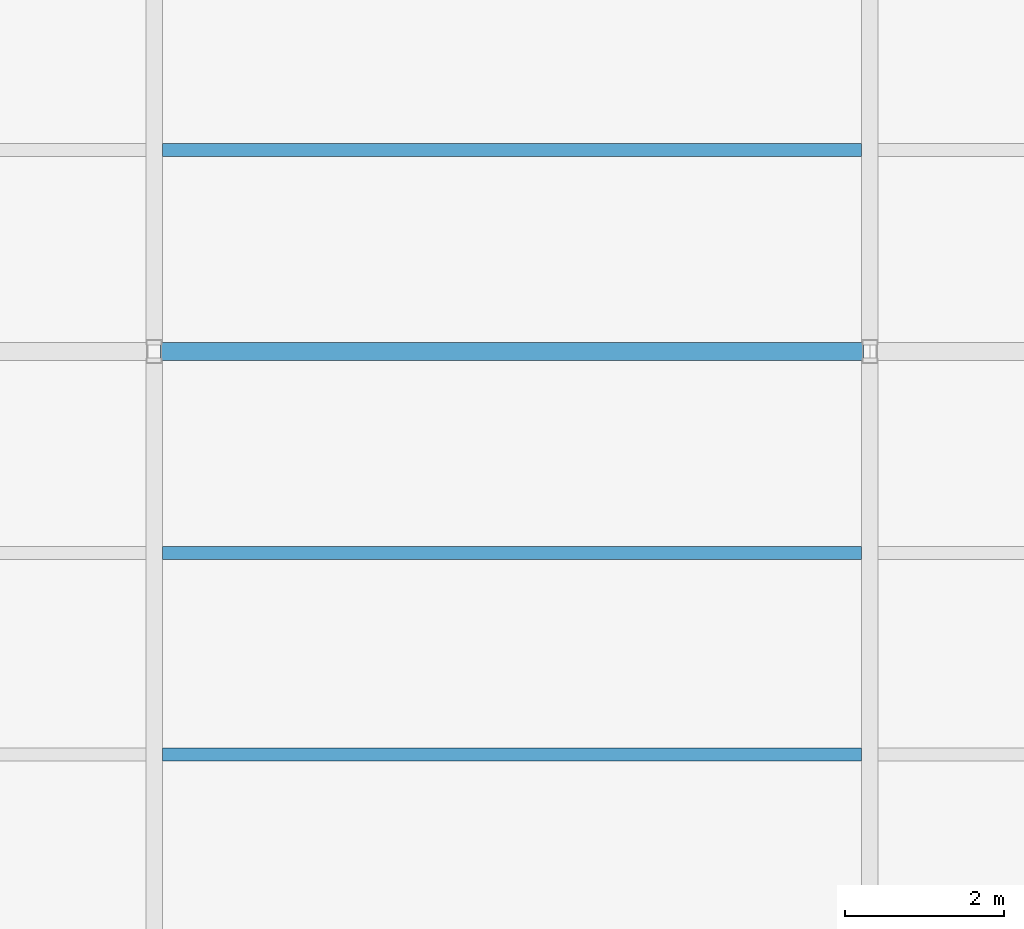
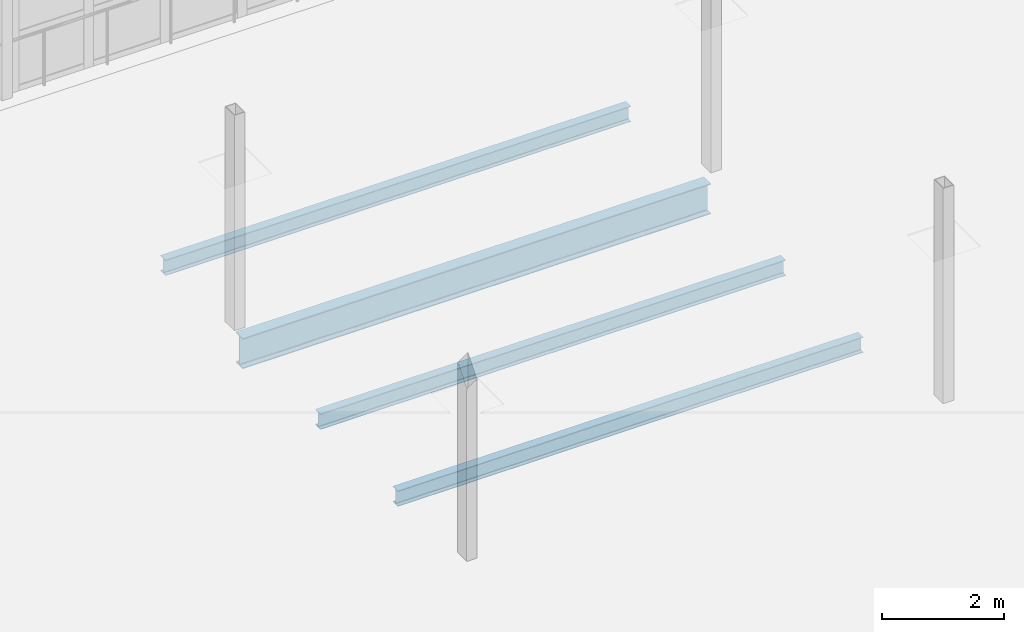
# One storey, part 40 of 166: 4 beams.
"""IFC4 building model written with IfcOpenShell, lengths in metres."""

import ifcopenshell
import ifcopenshell.guid

model = None  # the IFC model being written
_history = None  # IfcOwnerHistory: only IFC2X3 demands one
_inside = {}  # id of a spatial element -> (the spatial element, [elements in it])
_under = {}  # id of a project, library or spatial element -> (it, [spatial elements below it])
_declared = {}  # id of a project -> (the project, [libraries it declares])
_typed = {}  # id of a type object -> (the type object, [elements of that type])
_made_of = {}  # id of a material, layer set ... -> (it, [elements and type objects made of it])


def new_model(schema):
    """Start an empty IFC model of exactly this schema.

    Asked for "IFC4X3", IfcOpenShell would pick the latest addendum, in which some entities
    have other attributes; the version numbers below select the first issue.
    IFC2X3 requires an IfcOwnerHistory on every rooted entity: one is made here for all.
    """
    global model, _history
    if schema == "IFC4X3":
        model = ifcopenshell.file(schema_version=(4, 3, 0, 0))
    else:
        model = ifcopenshell.file(schema=schema)
    _inside.clear()
    _under.clear()
    _declared.clear()
    _typed.clear()
    _made_of.clear()
    _history = None
    if model.schema == "IFC2X3":
        org = make("IfcOrganization", Name="unknown")
        user = make(
            "IfcPersonAndOrganization",
            ThePerson=make("IfcPerson", FamilyName="unknown"),
            TheOrganization=org,
        )
        app = make(
            "IfcApplication",
            ApplicationDeveloper=org,
            Version="unknown",
            ApplicationFullName="unknown",
            ApplicationIdentifier="unknown",
        )
        _history = make(
            "IfcOwnerHistory",
            OwningUser=user,
            OwningApplication=app,
            ChangeAction="ADDED",
            CreationDate=0,
        )
    return model


def make(cls, **values):
    """One entity of the class cls with the attributes given. An attribute that is None is left unset."""
    return model.create_entity(
        cls, **{name: value for name, value in values.items() if value is not None}
    )


def rooted(cls, **values):
    """An entity with a GlobalId (a new one), such as an element, a storey or a relation."""
    return make(cls, GlobalId=ifcopenshell.guid.new(), OwnerHistory=_history, **values)


def si_unit(unit_type, name, prefix=None):
    """IfcSIUnit, for example si_unit("LENGTHUNIT", "METRE", prefix="MILLI")."""
    return make("IfcSIUnit", UnitType=unit_type, Prefix=prefix, Name=name)


def assignment(units):
    """IfcUnitAssignment: the units of a project."""
    return None if units is None else make("IfcUnitAssignment", Units=units)


def point(xyz):
    """IfcCartesianPoint."""
    return None if xyz is None else make("IfcCartesianPoint", Coordinates=xyz)


def direction(xyz):
    """IfcDirection."""
    return None if xyz is None else make("IfcDirection", DirectionRatios=xyz)


def frame(location, z_axis=None, x_axis=None):
    """IfcAxis2Placement3D, a coordinate frame: its origin and axes. An axis left out is left unset."""
    return make(
        "IfcAxis2Placement3D",
        Location=point(location),
        Axis=direction(z_axis),
        RefDirection=direction(x_axis),
    )


def frame_2d(location, x_axis=None):
    """IfcAxis2Placement2D, a coordinate frame in the plane: its origin and x axis."""
    return make(
        "IfcAxis2Placement2D", Location=point(location), RefDirection=direction(x_axis)
    )


def origin():
    """The frame at (0, 0, 0) with its axes left unset."""
    return frame((0.0, 0.0, 0.0))


def origin_2d():
    """The frame at (0, 0) in the plane with its x axis left unset."""
    return frame_2d((0.0, 0.0))


def place(relative_to, where):
    """IfcLocalPlacement: puts the frame where relative to a parent placement (None: the world)."""
    return make(
        "IfcLocalPlacement", PlacementRelTo=relative_to, RelativePlacement=where
    )


def context(
    kind, dimensions, precision=None, world=None, true_north=None, identifier=None
):
    """IfcGeometricRepresentationContext, for example the 3D "Model" context."""
    return make(
        "IfcGeometricRepresentationContext",
        ContextIdentifier=identifier,
        ContextType=kind,
        CoordinateSpaceDimension=dimensions,
        Precision=precision,
        WorldCoordinateSystem=world,
        TrueNorth=true_north,
    )


def subcontext(parent, identifier, kind, view, scale=None):
    """IfcGeometricRepresentationSubContext, for example "Body" below "Model"."""
    return make(
        "IfcGeometricRepresentationSubContext",
        ContextIdentifier=identifier,
        ContextType=kind,
        ParentContext=parent,
        TargetScale=scale,
        TargetView=view,
    )


def project(units=None, contexts=None):
    """IfcProject with its units and contexts."""
    return rooted(
        "IfcProject",
        Name="project",
        RepresentationContexts=contexts,
        UnitsInContext=assignment(units),
    )


def spatial(cls, under=None, at=None, **own):
    """A site, building, storey or space (cls), placed at a placement, below another one or the project."""
    s = rooted(cls, ObjectPlacement=at, **own)
    if under is not None:
        _under.setdefault(under.id(), (under, []))[1].append(s)
    return s


def profile(cls, at=None, kind="AREA", **sizes):
    """A parametric profile (cls). Its sizes go by their IFC names, for example OverallWidth=200.0."""
    return make(cls, ProfileType=kind, Position=at, **sizes)


def i_section(**sizes):
    """IfcIShapeProfileDef."""
    return profile("IfcIShapeProfileDef", **sizes)


def extrude(swept, where, along, depth):
    """IfcExtrudedAreaSolid: the profile swept, set in the frame where, extruded along a direction by depth."""
    return make(
        "IfcExtrudedAreaSolid",
        SweptArea=swept,
        Position=where,
        ExtrudedDirection=direction(along),
        Depth=depth,
    )


def shape(context_of_items, identifier, shape_type, items):
    """IfcShapeRepresentation: the items that make up one representation, for example the "Body"."""
    return make(
        "IfcShapeRepresentation",
        ContextOfItems=context_of_items,
        RepresentationIdentifier=identifier,
        RepresentationType=shape_type,
        Items=items,
    )


def material(Name=None, Category=None):
    """IfcMaterial."""
    return make("IfcMaterial", Name=Name, Category=Category)


def material_profile(
    of_material, cross_section, Name=None, Category=None, Priority=None
):
    """IfcMaterialProfile: a cross section and its material."""
    return make(
        "IfcMaterialProfile",
        Name=Name,
        Material=of_material,
        Profile=cross_section,
        Priority=Priority,
        Category=Category,
    )


def profile_set(profiles, Name=None, composite=None):
    """IfcMaterialProfileSet."""
    return make(
        "IfcMaterialProfileSet",
        Name=Name,
        MaterialProfiles=profiles,
        CompositeProfile=composite,
    )


def made_of(thing, what):
    """Note that an element or type object is made of a material, layer set ...; save() writes the relation."""
    if what is not None:
        _made_of.setdefault(what.id(), (what, []))[1].append(thing)
    return thing


def type_object(cls, material=None, **own):
    """A type object (cls), such as IfcWallType, which elements share."""
    return made_of(rooted(cls, **own), material)


def element(
    cls,
    number,
    at=None,
    inside=None,
    cuts=None,
    type_object=None,
    material=None,
    context=None,
    identifier="Body",
    shape_type=None,
    held_by="IfcProductDefinitionShape",
    body=None,
    shapes=None,
    **own,
):
    """One element of the class cls, such as IfcWall. Its Tag is "e" and its number.

    at: its placement. inside: the storey or other place that contains it. cuts: it is an
    opening in that element (IfcRelVoidsElement). A single representation is given by context,
    identifier, shape_type and body (its items); several are given by shapes. held_by: the class
    of the entity that holds the representations. save() writes the other relations.
    """
    e = rooted(cls, Tag="e%d" % number, ObjectPlacement=at, **own)
    if body is not None:
        shapes = [shape(context, identifier, shape_type, body)]
    if shapes is not None:
        e.Representation = make(held_by, Representations=shapes)
    if inside is not None:
        _inside.setdefault(inside.id(), (inside, []))[1].append(e)
    if cuts is not None:
        rooted(
            "IfcRelVoidsElement", RelatingBuildingElement=cuts, RelatedOpeningElement=e
        )
    if type_object is not None:
        _typed.setdefault(type_object.id(), (type_object, []))[1].append(e)
    return made_of(e, material)


def aggregate(whole, parts):
    """IfcRelAggregates: a whole, such as a stair, and the parts it consists of."""
    return rooted("IfcRelAggregates", RelatingObject=whole, RelatedObjects=parts)


def save(model, path):
    """Write the relations noted so far, then the file.

    IfcRelAggregates (storeys below a building ...), IfcRelContainedInSpatialStructure (elements
    in a storey), IfcRelDefinesByType, IfcRelAssociatesMaterial and IfcRelDeclares: one each for
    every whole, place, type object, material and project.
    """
    for whole, parts in _under.values():
        aggregate(whole, parts)
    for where, things in _inside.values():
        rooted(
            "IfcRelContainedInSpatialStructure",
            RelatedElements=things,
            RelatingStructure=where,
        )
    for kind, things in _typed.values():
        rooted("IfcRelDefinesByType", RelatedObjects=things, RelatingType=kind)
    for what, things in _made_of.values():
        rooted("IfcRelAssociatesMaterial", RelatedObjects=things, RelatingMaterial=what)
    for by, libraries in _declared.values():
        rooted("IfcRelDeclares", RelatingContext=by, RelatedDefinitions=libraries)
    model.write(path)


model = new_model("IFC4")

# Units and contexts
model_context = context("Model", 3, precision=1e-05, world=origin(), true_north=direction((0.0, 1.0)))
body_context = subcontext(model_context, "Body", "Model", "MODEL_VIEW")
ifc_project = project(units=[si_unit("LENGTHUNIT", "METRE"), si_unit("AREAUNIT", "SQUARE_METRE"), si_unit("VOLUMEUNIT", "CUBIC_METRE"), si_unit("PLANEANGLEUNIT", "RADIAN"), si_unit("MASSUNIT", "GRAM", prefix="KILO")], contexts=[model_context])

# Site, building, storey
site_placement = place(None, origin())
site = spatial("IfcSite", under=ifc_project, at=site_placement, CompositionType="ELEMENT")
building_placement = place(site_placement, origin())
building = spatial("IfcBuilding", under=site, at=building_placement, Name="Caisbarro Railhouse Central Library", CompositionType="ELEMENT")
storey_placement = place(building_placement, frame((0.0, 0.0, 9.360107421875)))
storey = spatial("IfcBuildingStorey", under=building, at=storey_placement, Name="L02", CompositionType="ELEMENT", Elevation=9.360107421875)

# Beams
ifc_material = material(Name="Steel ASTM A572 Grade 50", Category="steel")
ifc_material_profile_1 = material_profile(ifc_material, i_section(OverallWidth=0.22802734375, OverallDepth=0.60791015625, WebThickness=0.01123046875, FlangeThickness=0.017333984375, FilletRadius=0.02197265625, at=origin_2d()), Name="W610X113.0")
ifc_profile_set_1 = profile_set([ifc_material_profile_1], Name="Steel ASTM A572 Grade 50")
beam_type_1 = type_object("IfcBeamType", Name="BM-G04", PredefinedType="BEAM", material=ifc_profile_set_1)
beam_placement = place(storey_placement, frame((9.080078125, 53.199951171875, -0.524169921875), z_axis=(1.0, 0.0, 0.0), x_axis=(0.0, 1.0, 0.0)))
element("IfcBeam", 1, at=beam_placement, inside=storey, type_object=beam_type_1, Name="G04 beam L02 #1373", PredefinedType="BEAM", context=body_context, shape_type="SweptSolid", body=[
    extrude(i_section(OverallWidth=0.22802734375, OverallDepth=0.60791015625, WebThickness=0.01123046875, FlangeThickness=0.017333984375, FilletRadius=0.02197265625, at=origin_2d()), origin(), (0.0, 0.0, 1.0), 8.83984375),
])
ifc_material_profile_2 = material_profile(ifc_material, i_section(OverallWidth=0.1650390625, OverallDepth=0.31005859375, WebThickness=0.005859375, FlangeThickness=0.009765625, FilletRadius=0.011962890625, at=origin_2d()), Name="W310X38.7")
ifc_profile_set_2 = profile_set([ifc_material_profile_2], Name="Steel ASTM A572 Grade 50")
beam_type_2 = type_object("IfcBeamType", Name="BM-J03", PredefinedType="JOIST", material=ifc_profile_set_2)
for number, where, z_axis, x_axis, name in (
    (2, (9.1044921875, 48.13330078125, -0.375), (1.0, 0.0, 0.0), (0.0, 1.0, 0.0), "J03 beam L02 #1430"),
    (3, (9.1044921875, 50.666748046875, -0.375), (1.0, 0.0, 0.0), (0.0, 1.0, 0.0), "J03 beam L02 #1431"),
    (4, (9.1044921875, 55.7333984375, -0.375), (1.0, 0.0, 0.0), (0.0, 1.0, 0.0), "J03 beam L02 #1432"),
):
    element("IfcBeam", number, at=place(storey_placement, frame(where, z_axis=z_axis, x_axis=x_axis)), inside=storey, type_object=beam_type_2, Name=name, PredefinedType="JOIST", context=body_context, shape_type="SweptSolid", body=[
        extrude(i_section(OverallWidth=0.1650390625, OverallDepth=0.31005859375, WebThickness=0.005859375, FlangeThickness=0.009765625, FilletRadius=0.011962890625, at=origin_2d()), origin(), (0.0, 0.0, 1.0), 8.791015625),
    ])

save(model, "model.ifc")
